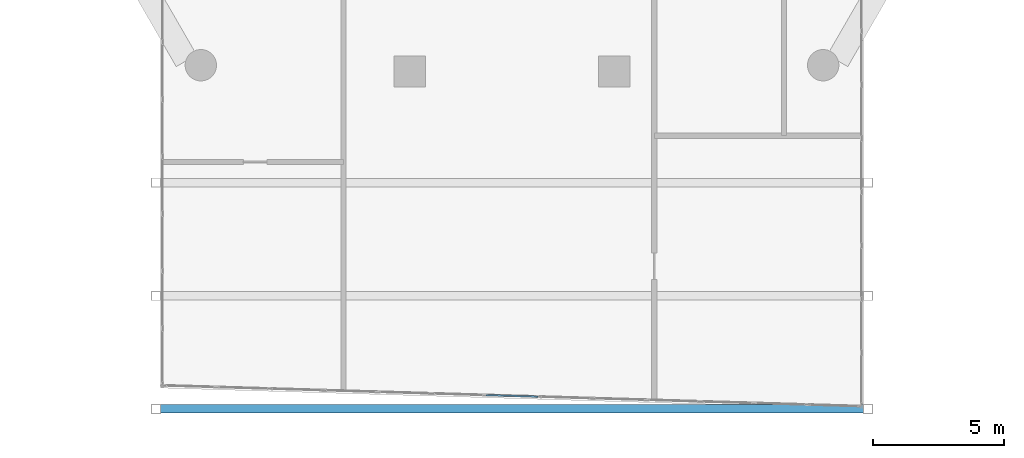
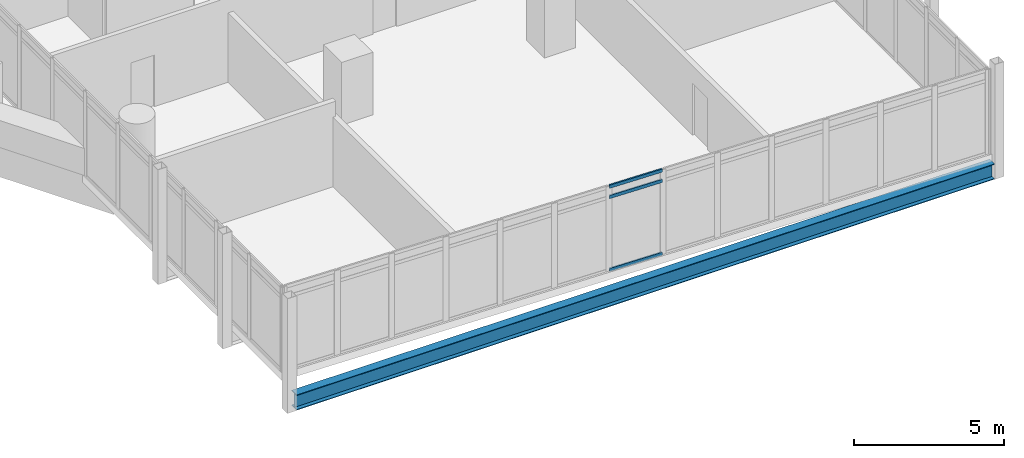
# One storey, part 4 of 28: 3 members, 1 beam, 1 element without a shape of its own.
"""IFC4 building model written with IfcOpenShell, lengths in metres."""

from ifc_helpers import new_model, si_unit, direction, frame, origin, origin_2d, place, context, subcontext, project, spatial, hollow_rectangle, i_section, extrude, material, material_profile, profile_set, type_object, element, aggregate, save


model = new_model("IFC4")

# Units and contexts
model_context = context("Model", 3, precision=1e-05, world=origin(), true_north=direction((0.0, 1.0)))
body_context = subcontext(model_context, "Body", "Model", "MODEL_VIEW")
ifc_project = project(units=[si_unit("LENGTHUNIT", "METRE"), si_unit("AREAUNIT", "SQUARE_METRE"), si_unit("VOLUMEUNIT", "CUBIC_METRE"), si_unit("PLANEANGLEUNIT", "RADIAN"), si_unit("MASSUNIT", "GRAM", prefix="KILO")], contexts=[model_context])

# Site, building, storey
site_placement = place(None, origin())
site = spatial("IfcSite", under=ifc_project, at=site_placement, CompositionType="ELEMENT")
building_placement = place(site_placement, origin())
building = spatial("IfcBuilding", under=site, at=building_placement, Name="Ostrander Bayou Hotel Tower", CompositionType="ELEMENT")
storey_placement = place(building_placement, frame((0.0, 0.0, 142.25)))
storey = spatial("IfcBuildingStorey", under=building, at=storey_placement, Name="L35", CompositionType="ELEMENT", Elevation=142.25)

# Curtain wall, members
ifc_material_1 = material(Name="Aluminium and clear glass", Category="aluminium")
curtain_wall_type = type_object("IfcCurtainWallType", Name="CW-BAR glazed wall", PredefinedType="NOTDEFINED", material=ifc_material_1)
curtain_wall_placement = place(storey_placement, origin())
curtain_wall = element("IfcCurtainWall", 1, at=curtain_wall_placement, inside=storey, type_object=curtain_wall_type, Name="CW-BAR L35:SB3S:T", PredefinedType="NOTDEFINED")
ifc_material_2 = material(Name="Aluminium", Category="aluminium")
ifc_material_profile_1 = material_profile(ifc_material_2, hollow_rectangle(XDim=0.06005859375, YDim=0.1298828125, WallThickness=0.00390625, at=origin_2d()))
ifc_profile_set_1 = profile_set([ifc_material_profile_1], Name="Aluminium")
member_type = type_object("IfcMemberType", Name="CW-BR transom 60 x 130 mm", PredefinedType="USERDEFINED", material=ifc_profile_set_1)
member_1_placement = place(storey_placement, frame((-0.998291015625, -30.92041015625, 0.030029296875), z_axis=(0.999558835181, -0.029700757758, 0.0), x_axis=(0.029700757758, 0.999558835181, 0.0)))
member_1 = element("IfcMember", 2, at=member_1_placement, type_object=member_type, Name="CW-BAR transom 7.1", ObjectType="TRANSOM", PredefinedType="USERDEFINED", context=body_context, shape_type="SweptSolid", body=[
    extrude(hollow_rectangle(XDim=0.06005859375, YDim=0.1298828125, WallThickness=0.00390625, at=origin_2d()), origin(), (0.0, 0.0, 1.0), 1.99755859375),
])
member_2_placement = place(storey_placement, frame((-0.998291015625, -30.92041015625, 3.0), z_axis=(0.999558835181, -0.029700757758, 0.0), x_axis=(0.029700757758, 0.999558835181, 0.0)))
member_2 = element("IfcMember", 3, at=member_2_placement, type_object=member_type, Name="CW-BAR transom 7.2", ObjectType="TRANSOM", PredefinedType="USERDEFINED", context=body_context, shape_type="SweptSolid", body=[
    extrude(hollow_rectangle(XDim=0.06005859375, YDim=0.1298828125, WallThickness=0.00390625, at=origin_2d()), origin(), (0.0, 0.0, 1.0), 1.99755859375),
])
member_3_placement = place(storey_placement, frame((-0.998291015625, -30.92041015625, 3.419921875), z_axis=(0.999558835181, -0.029700757758, 0.0), x_axis=(0.029700757758, 0.999558835181, 0.0)))
member_3 = element("IfcMember", 4, at=member_3_placement, type_object=member_type, Name="CW-BAR transom 7.3", ObjectType="TRANSOM", PredefinedType="USERDEFINED", context=body_context, shape_type="SweptSolid", body=[
    extrude(hollow_rectangle(XDim=0.06005859375, YDim=0.1298828125, WallThickness=0.00390625, at=origin_2d()), origin(), (0.0, 0.0, 1.0), 1.99755859375),
])
aggregate(curtain_wall, [member_1, member_2, member_3])

# Beam
ifc_material_3 = material(Name="Steel ASTM A992", Category="steel")
ifc_material_profile_2 = material_profile(ifc_material_3, i_section(OverallWidth=0.32763671875, OverallDepth=0.621826171875, WebThickness=0.015380859375, FlangeThickness=0.0244140625, at=origin_2d()))
ifc_profile_set_2 = profile_set([ifc_material_profile_2], Name="Steel ASTM A992")
beam_type = type_object("IfcBeamType", Name="TF1 bar floor beam W24x131", PredefinedType="BEAM", material=ifc_profile_set_2)
beam_placement = place(storey_placement, frame((-13.442138671875, -31.449951171875, -0.61083984375), z_axis=(1.0, 0.0, 0.0), x_axis=(0.0, 1.0, 0.0)))
element("IfcBeam", 5, at=beam_placement, inside=storey, type_object=beam_type, Name="TF1 SB3S L4-3", PredefinedType="BEAM", context=body_context, shape_type="SweptSolid", body=[
    extrude(i_section(OverallWidth=0.32763671875, OverallDepth=0.621826171875, WebThickness=0.015380859375, FlangeThickness=0.0244140625, at=origin_2d()), origin(), (0.0, 0.0, 1.0), 26.88427734375),
])

save(model, "model.ifc")
